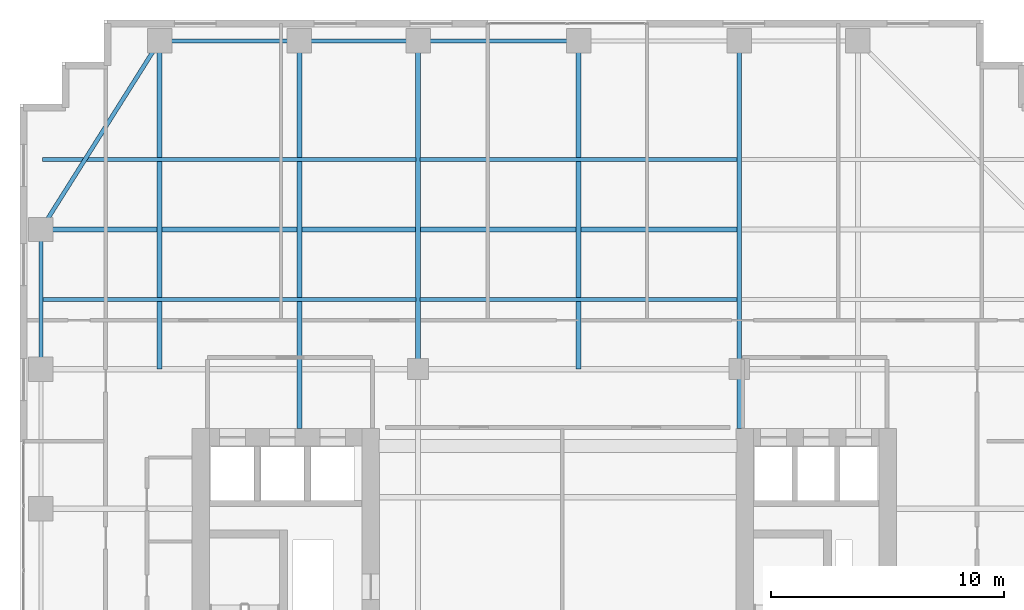
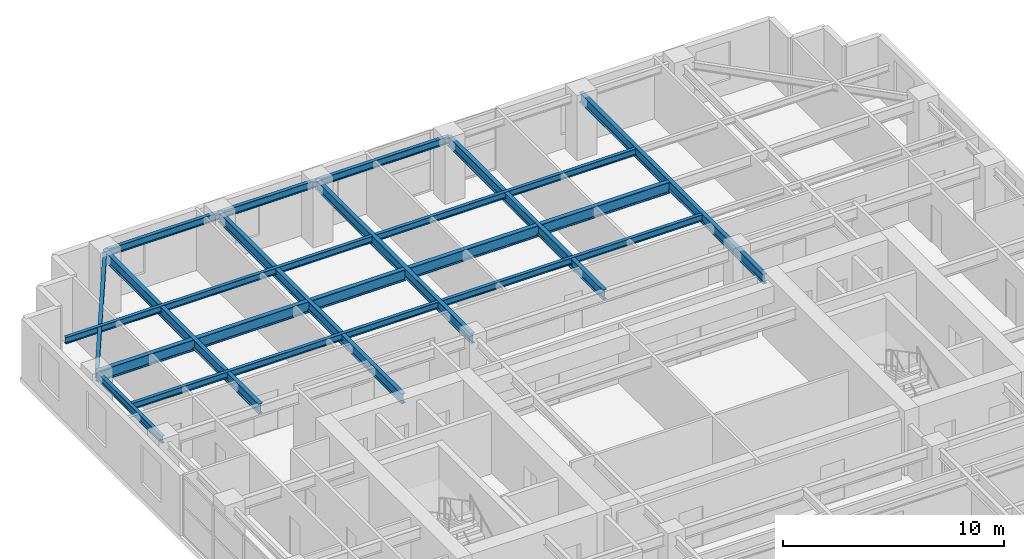
# One storey, part 11 of 18: 16 beams.
"""IFC4 building model written with IfcOpenShell, lengths in metres."""

from ifc_helpers import new_model, si_unit, direction, frame, origin, origin_2d, place, context, subcontext, project, spatial, i_section, extrude, source, transform, mapped, material, material_profile, profile_set, type_object, element, save


model = new_model("IFC4")

# Units and contexts
model_context = context("Model", 3, precision=1e-05, world=origin(), true_north=direction((0.0, 1.0)))
body_context = subcontext(model_context, "Body", "Model", "MODEL_VIEW")
ifc_project = project(units=[si_unit("LENGTHUNIT", "METRE"), si_unit("AREAUNIT", "SQUARE_METRE"), si_unit("VOLUMEUNIT", "CUBIC_METRE"), si_unit("PLANEANGLEUNIT", "RADIAN"), si_unit("MASSUNIT", "GRAM", prefix="KILO")], contexts=[model_context])

# Site, building, storey
site_placement = place(None, origin())
site = spatial("IfcSite", under=ifc_project, at=site_placement, CompositionType="ELEMENT")
building_placement = place(site_placement, origin())
building = spatial("IfcBuilding", under=site, at=building_placement, Name="Khoralis Quay Care Tower", CompositionType="ELEMENT")
storey_placement = place(building_placement, frame((0.0, 0.0, 130.5)))
storey = spatial("IfcBuildingStorey", under=building, at=storey_placement, Name="L34", CompositionType="ELEMENT", Elevation=130.5)

# Beams
ifc_material = material(Name="Steel S355", Category="steel")
ifc_material_profile_1 = material_profile(ifc_material, i_section(OverallWidth=0.179931640625, OverallDepth=0.39990234375, WebThickness=0.008544921875, FlangeThickness=0.013427734375, FilletRadius=0.02099609375, at=origin_2d()), Name="Steel S355")
ifc_profile_set_1 = profile_set([ifc_material_profile_1], Name="Steel S355")
beam_type_1 = type_object("IfcBeamType", Name="BM-IPE400", PredefinedType="SPANDREL", material=ifc_profile_set_1)
shared_shape_1 = source(origin(), body_context, "Body", "SweptSolid", [
    extrude(i_section(OverallWidth=0.179931640625, OverallDepth=0.39990234375, WebThickness=0.008544921875, FlangeThickness=0.013427734375, FilletRadius=0.02099609375, at=origin_2d()), origin(), (0.0, 0.0, 1.0), 6.0),
])
for number, where, z_axis, x_axis, name in (
    (1, (6.0, 44.10009765625, 3.139892578125), (1.0, 0.0, 0.0), (0.0, 1.0, 0.0), "BM-TSP-L34-06"),
    (2, (0.89990234375, 30.0, 3.139892578125), (0.0, 1.0, 0.0), (-1.0, 0.0, 0.0), "BM-TSP-L34-15"),
):
    element("IfcBeam", number, at=place(storey_placement, frame(where, z_axis=z_axis, x_axis=x_axis)), inside=storey, type_object=beam_type_1, Name=name, PredefinedType="SPANDREL", context=body_context, shape_type="MappedRepresentation", body=[
        mapped(shared_shape_1, transform((0.0, 0.0, 0.0), scale=1.0)),
    ])
shared_shape_2 = source(origin(), body_context, "Body", "SweptSolid", [
    extrude(i_section(OverallWidth=0.179931640625, OverallDepth=0.39990234375, WebThickness=0.008544921875, FlangeThickness=0.013427734375, FilletRadius=0.02099609375, at=origin_2d()), origin(), (0.0, 0.0, 1.0), 5.10009765625),
])
beam_1_placement = place(storey_placement, frame((12.0, 44.10009765625, 3.139892578125), z_axis=(1.0, 0.0, 0.0), x_axis=(0.0, 1.0, 0.0)))
element("IfcBeam", 3, at=beam_1_placement, inside=storey, type_object=beam_type_1, Name="BM-TSP-L34-07", PredefinedType="SPANDREL", context=body_context, shape_type="MappedRepresentation", body=[
    mapped(shared_shape_2, transform((0.0, 0.0, 0.0), scale=1.0)),
])
shared_shape_3 = source(origin(), body_context, "Body", "SweptSolid", [
    extrude(i_section(OverallWidth=0.179931640625, OverallDepth=0.39990234375, WebThickness=0.008544921875, FlangeThickness=0.013427734375, FilletRadius=0.02099609375, at=origin_2d()), origin(), (0.0, 0.0, 1.0), 6.89990234375),
])
beam_2_placement = place(storey_placement, frame((17.10009765625, 44.10009765625, 3.139892578125), z_axis=(1.0, 0.0, 0.0), x_axis=(0.0, 1.0, 0.0)))
element("IfcBeam", 4, at=beam_2_placement, inside=storey, type_object=beam_type_1, Name="BM-TSP-L34-08", PredefinedType="SPANDREL", context=body_context, shape_type="MappedRepresentation", body=[
    mapped(shared_shape_3, transform((0.0, 0.0, 0.0), scale=1.0)),
])
shared_shape_4 = source(origin(), body_context, "Body", "SweptSolid", [
    extrude(i_section(OverallWidth=0.179931640625, OverallDepth=0.39990234375, WebThickness=0.008544921875, FlangeThickness=0.013427734375, FilletRadius=0.02099609375, at=origin_2d()), origin(), (0.0, 0.0, 1.0), 9.572021484375),
])
beam_3_placement = place(storey_placement, frame((6.0, 44.10009765625, 3.139892578125), z_axis=(-0.532815975602, -0.846231136359, 0.0), x_axis=(0.846231136359, -0.532815975602, 0.0)))
element("IfcBeam", 5, at=beam_3_placement, inside=storey, type_object=beam_type_1, Name="BM-TCR-L34-23", PredefinedType="SPANDREL", context=body_context, shape_type="MappedRepresentation", body=[
    mapped(shared_shape_4, transform((0.0, 0.0, 0.0), scale=1.0)),
])
ifc_material_profile_2 = material_profile(ifc_material, i_section(OverallWidth=0.22998046875, OverallDepth=0.616943359375, WebThickness=0.01318359375, FlangeThickness=0.022216796875, FilletRadius=0.01806640625, at=origin_2d()), Name="Steel S355")
ifc_profile_set_2 = profile_set([ifc_material_profile_2], Name="Steel S355")
beam_type_2 = type_object("IfcBeamType", Name="BM-W610X140", PredefinedType="BEAM", material=ifc_profile_set_2)
shared_shape_5 = source(origin(), body_context, "Body", "SweptSolid", [
    extrude(i_section(OverallWidth=0.22998046875, OverallDepth=0.616943359375, WebThickness=0.01318359375, FlangeThickness=0.022216796875, FilletRadius=0.01806640625, at=origin_2d()), origin(), (0.0, 0.0, 1.0), 16.106201171875),
])
beam_4_placement = place(storey_placement, frame((0.89990234375, 36.0, 3.031494140625), z_axis=(1.0, 0.0, 0.0), x_axis=(0.0, 1.0, 0.0)))
element("IfcBeam", 6, at=beam_4_placement, inside=storey, type_object=beam_type_2, Name="BM-TGXW-L34-360", PredefinedType="BEAM", context=body_context, shape_type="MappedRepresentation", body=[
    mapped(shared_shape_5, transform((0.0, 0.0, 0.0), scale=1.0)),
])
shared_shape_6 = source(origin(), body_context, "Body", "SweptSolid", [
    extrude(i_section(OverallWidth=0.22998046875, OverallDepth=0.616943359375, WebThickness=0.01318359375, FlangeThickness=0.022216796875, FilletRadius=0.01806640625, at=origin_2d()), origin(), (0.0, 0.0, 1.0), 13.61181640625),
])
beam_5_placement = place(storey_placement, frame((17.194091796875, 36.0, 3.031494140625), z_axis=(1.0, 0.0, 0.0), x_axis=(0.0, 1.0, 0.0)))
element("IfcBeam", 7, at=beam_5_placement, inside=storey, type_object=beam_type_2, Name="BM-TGCC-L34-360", PredefinedType="BEAM", context=body_context, shape_type="MappedRepresentation", body=[
    mapped(shared_shape_6, transform((0.0, 0.0, 0.0), scale=1.0)),
])
ifc_material_profile_3 = material_profile(ifc_material, i_section(OverallWidth=0.2119140625, OverallDepth=0.5439453125, WebThickness=0.01318359375, FlangeThickness=0.021240234375, FilletRadius=0.01611328125, at=origin_2d()), Name="Steel S355")
ifc_profile_set_3 = profile_set([ifc_material_profile_3], Name="Steel S355")
beam_type_3 = type_object("IfcBeamType", Name="BM-W530X123", PredefinedType="BEAM", material=ifc_profile_set_3)
shared_shape_7 = source(origin(), body_context, "Body", "SweptSolid", [
    extrude(i_section(OverallWidth=0.2119140625, OverallDepth=0.5439453125, WebThickness=0.01318359375, FlangeThickness=0.021240234375, FilletRadius=0.01611328125, at=origin_2d()), origin(), (0.0, 0.0, 1.0), 14.10009765625),
])
for number, where, z_axis, x_axis, name in (
    (8, (6.0, 30.0, 3.068115234375), (0.0, 1.0, 0.0), (-1.0, 0.0, 0.0), "BM-TGYN-L34-60"),
    (9, (17.10009765625, 30.0, 3.068115234375), (0.0, 1.0, 0.0), (-1.0, 0.0, 0.0), "BM-TGYN-L34-171"),
    (10, (24.0, 30.0, 3.068115234375), (0.0, 1.0, 0.0), (-1.0, 0.0, 0.0), "BM-TGYN-L34-240"),
):
    element("IfcBeam", number, at=place(storey_placement, frame(where, z_axis=z_axis, x_axis=x_axis)), inside=storey, type_object=beam_type_3, Name=name, PredefinedType="BEAM", context=body_context, shape_type="MappedRepresentation", body=[
        mapped(shared_shape_7, transform((0.0, 0.0, 0.0), scale=1.0)),
    ])
shared_shape_8 = source(origin(), body_context, "Body", "SweptSolid", [
    extrude(i_section(OverallWidth=0.2119140625, OverallDepth=0.5439453125, WebThickness=0.01318359375, FlangeThickness=0.021240234375, FilletRadius=0.01611328125, at=origin_2d()), origin(), (0.0, 0.0, 1.0), 16.652099609375),
])
for number, where, z_axis, x_axis, name in (
    (11, (12.0, 27.447998046875, 3.068115234375), (0.0, 1.0, 0.0), (-1.0, 0.0, 0.0), "BM-TGYN-L34-120"),
    (12, (30.89990234375, 27.447998046875, 3.068115234375), (0.0, 1.0, 0.0), (-1.0, 0.0, 0.0), "BM-TGYN-L34-309"),
):
    element("IfcBeam", number, at=place(storey_placement, frame(where, z_axis=z_axis, x_axis=x_axis)), inside=storey, type_object=beam_type_3, Name=name, PredefinedType="BEAM", context=body_context, shape_type="MappedRepresentation", body=[
        mapped(shared_shape_8, transform((0.0, 0.0, 0.0), scale=1.0)),
    ])
ifc_material_profile_4 = material_profile(ifc_material, i_section(OverallWidth=0.1708984375, OverallDepth=0.35498046875, WebThickness=0.007080078125, FlangeThickness=0.01171875, FilletRadius=0.012939453125, at=origin_2d()), Name="Steel S355")
ifc_profile_set_4 = profile_set([ifc_material_profile_4], Name="Steel S355")
beam_type_4 = type_object("IfcBeamType", Name="BM-W360X51", PredefinedType="JOIST", material=ifc_profile_set_4)
shared_shape_9 = source(origin(), body_context, "Body", "SweptSolid", [
    extrude(i_section(OverallWidth=0.1708984375, OverallDepth=0.35498046875, WebThickness=0.007080078125, FlangeThickness=0.01171875, FilletRadius=0.012939453125, at=origin_2d()), origin(), (0.0, 0.0, 1.0), 16.030029296875),
])
for number, where, z_axis, x_axis, name in (
    (13, (0.97607421875, 33.0, 3.16259765625), (1.0, 0.0, 0.0), (0.0, 1.0, 0.0), "BM-TJS-L34-28"),
    (14, (0.97607421875, 39.0, 3.16259765625), (1.0, 0.0, 0.0), (0.0, 1.0, 0.0), "BM-TJS-L34-31"),
):
    element("IfcBeam", number, at=place(storey_placement, frame(where, z_axis=z_axis, x_axis=x_axis)), inside=storey, type_object=beam_type_4, Name=name, PredefinedType="JOIST", context=body_context, shape_type="MappedRepresentation", body=[
        mapped(shared_shape_9, transform((0.0, 0.0, 0.0), scale=1.0)),
    ])
shared_shape_10 = source(origin(), body_context, "Body", "SweptSolid", [
    extrude(i_section(OverallWidth=0.1708984375, OverallDepth=0.35498046875, WebThickness=0.007080078125, FlangeThickness=0.01171875, FilletRadius=0.012939453125, at=origin_2d()), origin(), (0.0, 0.0, 1.0), 13.61181640625),
])
for number, where, z_axis, x_axis, name in (
    (15, (17.194091796875, 33.0, 3.16259765625), (1.0, 0.0, 0.0), (0.0, 1.0, 0.0), "BM-TJS-L34-30"),
    (16, (17.194091796875, 39.0, 3.16259765625), (1.0, 0.0, 0.0), (0.0, 1.0, 0.0), "BM-TJS-L34-33"),
):
    element("IfcBeam", number, at=place(storey_placement, frame(where, z_axis=z_axis, x_axis=x_axis)), inside=storey, type_object=beam_type_4, Name=name, PredefinedType="JOIST", context=body_context, shape_type="MappedRepresentation", body=[
        mapped(shared_shape_10, transform((0.0, 0.0, 0.0), scale=1.0)),
    ])

save(model, "model.ifc")
